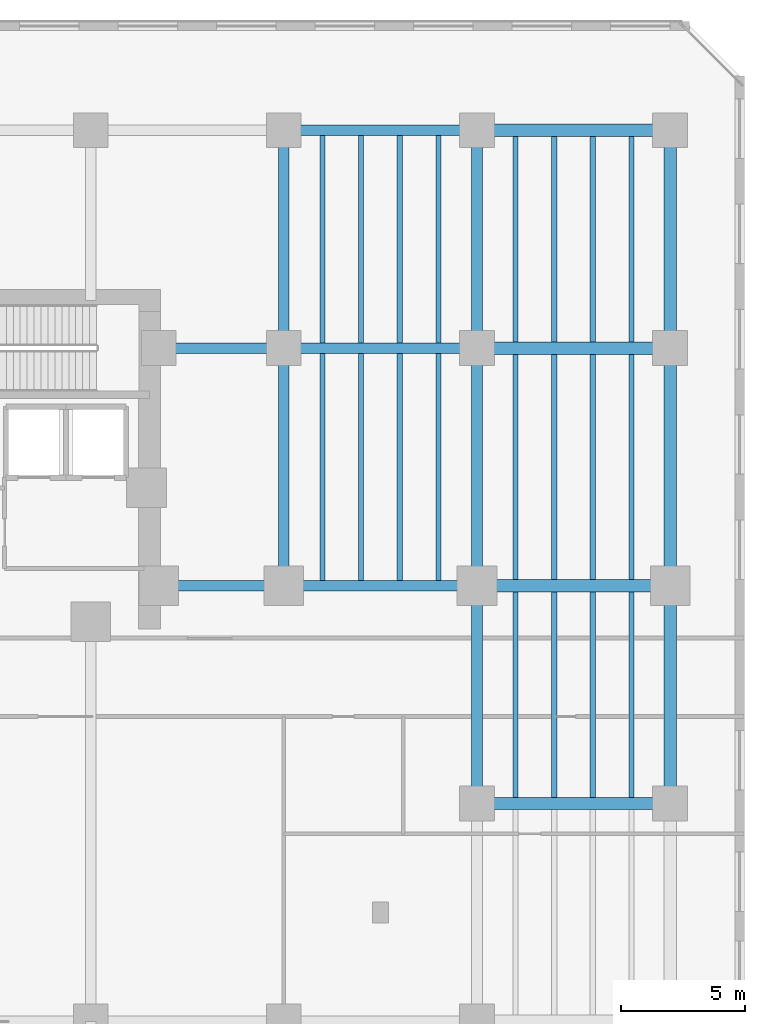
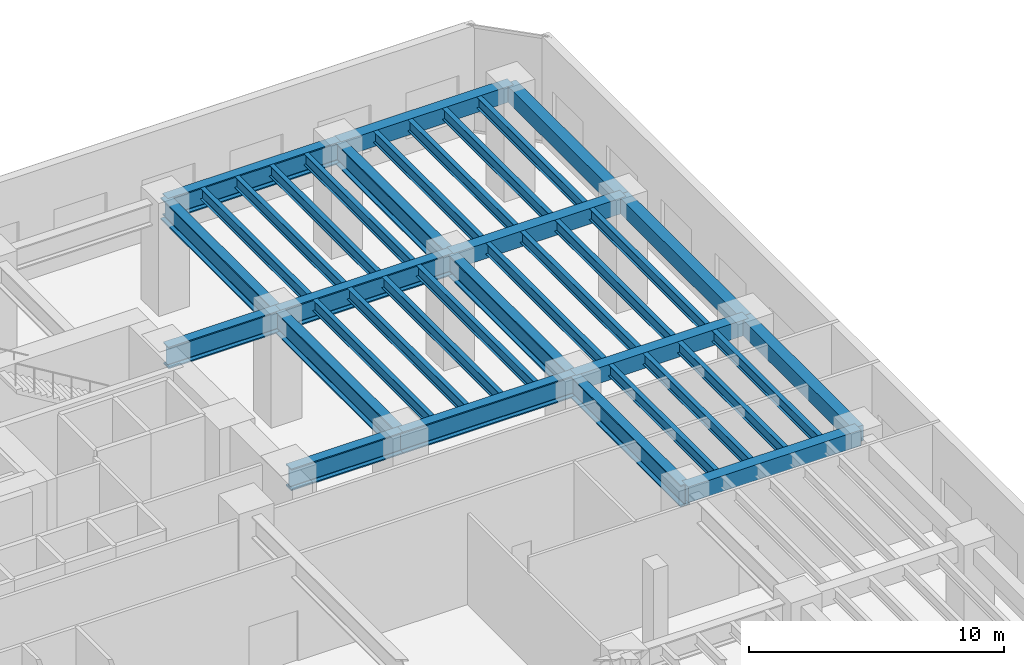
# One storey, part 7 of 21: 37 beams.
"""IFC4 building model written with IfcOpenShell, lengths in metres."""

import ifcopenshell
import ifcopenshell.guid

model = None  # the IFC model being written
_history = None  # IfcOwnerHistory: only IFC2X3 demands one
_inside = {}  # id of a spatial element -> (the spatial element, [elements in it])
_under = {}  # id of a project, library or spatial element -> (it, [spatial elements below it])
_declared = {}  # id of a project -> (the project, [libraries it declares])
_typed = {}  # id of a type object -> (the type object, [elements of that type])
_made_of = {}  # id of a material, layer set ... -> (it, [elements and type objects made of it])


def new_model(schema):
    """Start an empty IFC model of exactly this schema.

    Asked for "IFC4X3", IfcOpenShell would pick the latest addendum, in which some entities
    have other attributes; the version numbers below select the first issue.
    IFC2X3 requires an IfcOwnerHistory on every rooted entity: one is made here for all.
    """
    global model, _history
    if schema == "IFC4X3":
        model = ifcopenshell.file(schema_version=(4, 3, 0, 0))
    else:
        model = ifcopenshell.file(schema=schema)
    _inside.clear()
    _under.clear()
    _declared.clear()
    _typed.clear()
    _made_of.clear()
    _history = None
    if model.schema == "IFC2X3":
        org = make("IfcOrganization", Name="unknown")
        user = make(
            "IfcPersonAndOrganization",
            ThePerson=make("IfcPerson", FamilyName="unknown"),
            TheOrganization=org,
        )
        app = make(
            "IfcApplication",
            ApplicationDeveloper=org,
            Version="unknown",
            ApplicationFullName="unknown",
            ApplicationIdentifier="unknown",
        )
        _history = make(
            "IfcOwnerHistory",
            OwningUser=user,
            OwningApplication=app,
            ChangeAction="ADDED",
            CreationDate=0,
        )
    return model


def make(cls, **values):
    """One entity of the class cls with the attributes given. An attribute that is None is left unset."""
    return model.create_entity(
        cls, **{name: value for name, value in values.items() if value is not None}
    )


def rooted(cls, **values):
    """An entity with a GlobalId (a new one), such as an element, a storey or a relation."""
    return make(cls, GlobalId=ifcopenshell.guid.new(), OwnerHistory=_history, **values)


def si_unit(unit_type, name, prefix=None):
    """IfcSIUnit, for example si_unit("LENGTHUNIT", "METRE", prefix="MILLI")."""
    return make("IfcSIUnit", UnitType=unit_type, Prefix=prefix, Name=name)


def assignment(units):
    """IfcUnitAssignment: the units of a project."""
    return None if units is None else make("IfcUnitAssignment", Units=units)


def point(xyz):
    """IfcCartesianPoint."""
    return None if xyz is None else make("IfcCartesianPoint", Coordinates=xyz)


def direction(xyz):
    """IfcDirection."""
    return None if xyz is None else make("IfcDirection", DirectionRatios=xyz)


def frame(location, z_axis=None, x_axis=None):
    """IfcAxis2Placement3D, a coordinate frame: its origin and axes. An axis left out is left unset."""
    return make(
        "IfcAxis2Placement3D",
        Location=point(location),
        Axis=direction(z_axis),
        RefDirection=direction(x_axis),
    )


def frame_2d(location, x_axis=None):
    """IfcAxis2Placement2D, a coordinate frame in the plane: its origin and x axis."""
    return make(
        "IfcAxis2Placement2D", Location=point(location), RefDirection=direction(x_axis)
    )


def origin():
    """The frame at (0, 0, 0) with its axes left unset."""
    return frame((0.0, 0.0, 0.0))


def origin_2d():
    """The frame at (0, 0) in the plane with its x axis left unset."""
    return frame_2d((0.0, 0.0))


def place(relative_to, where):
    """IfcLocalPlacement: puts the frame where relative to a parent placement (None: the world)."""
    return make(
        "IfcLocalPlacement", PlacementRelTo=relative_to, RelativePlacement=where
    )


def context(
    kind, dimensions, precision=None, world=None, true_north=None, identifier=None
):
    """IfcGeometricRepresentationContext, for example the 3D "Model" context."""
    return make(
        "IfcGeometricRepresentationContext",
        ContextIdentifier=identifier,
        ContextType=kind,
        CoordinateSpaceDimension=dimensions,
        Precision=precision,
        WorldCoordinateSystem=world,
        TrueNorth=true_north,
    )


def subcontext(parent, identifier, kind, view, scale=None):
    """IfcGeometricRepresentationSubContext, for example "Body" below "Model"."""
    return make(
        "IfcGeometricRepresentationSubContext",
        ContextIdentifier=identifier,
        ContextType=kind,
        ParentContext=parent,
        TargetScale=scale,
        TargetView=view,
    )


def project(units=None, contexts=None):
    """IfcProject with its units and contexts."""
    return rooted(
        "IfcProject",
        Name="project",
        RepresentationContexts=contexts,
        UnitsInContext=assignment(units),
    )


def spatial(cls, under=None, at=None, **own):
    """A site, building, storey or space (cls), placed at a placement, below another one or the project."""
    s = rooted(cls, ObjectPlacement=at, **own)
    if under is not None:
        _under.setdefault(under.id(), (under, []))[1].append(s)
    return s


def profile(cls, at=None, kind="AREA", **sizes):
    """A parametric profile (cls). Its sizes go by their IFC names, for example OverallWidth=200.0."""
    return make(cls, ProfileType=kind, Position=at, **sizes)


def rectangle(**sizes):
    """IfcRectangleProfileDef."""
    return profile("IfcRectangleProfileDef", **sizes)


def i_section(**sizes):
    """IfcIShapeProfileDef."""
    return profile("IfcIShapeProfileDef", **sizes)


def extrude(swept, where, along, depth):
    """IfcExtrudedAreaSolid: the profile swept, set in the frame where, extruded along a direction by depth."""
    return make(
        "IfcExtrudedAreaSolid",
        SweptArea=swept,
        Position=where,
        ExtrudedDirection=direction(along),
        Depth=depth,
    )


def shape(context_of_items, identifier, shape_type, items):
    """IfcShapeRepresentation: the items that make up one representation, for example the "Body"."""
    return make(
        "IfcShapeRepresentation",
        ContextOfItems=context_of_items,
        RepresentationIdentifier=identifier,
        RepresentationType=shape_type,
        Items=items,
    )


def material(Name=None, Category=None):
    """IfcMaterial."""
    return make("IfcMaterial", Name=Name, Category=Category)


def material_profile(
    of_material, cross_section, Name=None, Category=None, Priority=None
):
    """IfcMaterialProfile: a cross section and its material."""
    return make(
        "IfcMaterialProfile",
        Name=Name,
        Material=of_material,
        Profile=cross_section,
        Priority=Priority,
        Category=Category,
    )


def profile_set(profiles, Name=None, composite=None):
    """IfcMaterialProfileSet."""
    return make(
        "IfcMaterialProfileSet",
        Name=Name,
        MaterialProfiles=profiles,
        CompositeProfile=composite,
    )


def made_of(thing, what):
    """Note that an element or type object is made of a material, layer set ...; save() writes the relation."""
    if what is not None:
        _made_of.setdefault(what.id(), (what, []))[1].append(thing)
    return thing


def type_object(cls, material=None, **own):
    """A type object (cls), such as IfcWallType, which elements share."""
    return made_of(rooted(cls, **own), material)


def element(
    cls,
    number,
    at=None,
    inside=None,
    cuts=None,
    type_object=None,
    material=None,
    context=None,
    identifier="Body",
    shape_type=None,
    held_by="IfcProductDefinitionShape",
    body=None,
    shapes=None,
    **own,
):
    """One element of the class cls, such as IfcWall. Its Tag is "e" and its number.

    at: its placement. inside: the storey or other place that contains it. cuts: it is an
    opening in that element (IfcRelVoidsElement). A single representation is given by context,
    identifier, shape_type and body (its items); several are given by shapes. held_by: the class
    of the entity that holds the representations. save() writes the other relations.
    """
    e = rooted(cls, Tag="e%d" % number, ObjectPlacement=at, **own)
    if body is not None:
        shapes = [shape(context, identifier, shape_type, body)]
    if shapes is not None:
        e.Representation = make(held_by, Representations=shapes)
    if inside is not None:
        _inside.setdefault(inside.id(), (inside, []))[1].append(e)
    if cuts is not None:
        rooted(
            "IfcRelVoidsElement", RelatingBuildingElement=cuts, RelatedOpeningElement=e
        )
    if type_object is not None:
        _typed.setdefault(type_object.id(), (type_object, []))[1].append(e)
    return made_of(e, material)


def aggregate(whole, parts):
    """IfcRelAggregates: a whole, such as a stair, and the parts it consists of."""
    return rooted("IfcRelAggregates", RelatingObject=whole, RelatedObjects=parts)


def save(model, path):
    """Write the relations noted so far, then the file.

    IfcRelAggregates (storeys below a building ...), IfcRelContainedInSpatialStructure (elements
    in a storey), IfcRelDefinesByType, IfcRelAssociatesMaterial and IfcRelDeclares: one each for
    every whole, place, type object, material and project.
    """
    for whole, parts in _under.values():
        aggregate(whole, parts)
    for where, things in _inside.values():
        rooted(
            "IfcRelContainedInSpatialStructure",
            RelatedElements=things,
            RelatingStructure=where,
        )
    for kind, things in _typed.values():
        rooted("IfcRelDefinesByType", RelatedObjects=things, RelatingType=kind)
    for what, things in _made_of.values():
        rooted("IfcRelAssociatesMaterial", RelatedObjects=things, RelatingMaterial=what)
    for by, libraries in _declared.values():
        rooted("IfcRelDeclares", RelatingContext=by, RelatedDefinitions=libraries)
    model.write(path)


model = new_model("IFC4")

# Units and contexts
model_context = context("Model", 3, precision=1e-05, world=origin(), true_north=direction((0.0, 1.0)))
body_context = subcontext(model_context, "Body", "Model", "MODEL_VIEW")
ifc_project = project(units=[si_unit("LENGTHUNIT", "METRE"), si_unit("AREAUNIT", "SQUARE_METRE"), si_unit("VOLUMEUNIT", "CUBIC_METRE"), si_unit("PLANEANGLEUNIT", "RADIAN"), si_unit("MASSUNIT", "GRAM", prefix="KILO")], contexts=[model_context])

# Site, building, storey
site_placement = place(None, origin())
site = spatial("IfcSite", under=ifc_project, at=site_placement, CompositionType="ELEMENT")
building_placement = place(site_placement, origin())
building = spatial("IfcBuilding", under=site, at=building_placement, Name="Kestravale Grand Hotel", CompositionType="ELEMENT")
storey_placement = place(building_placement, frame((0.0, 0.0, 10.39990234375)))
storey = spatial("IfcBuildingStorey", under=building, at=storey_placement, Name="L02", CompositionType="ELEMENT", Elevation=10.39990234375)

# Beams
ifc_material_1 = material(Name="Steel ASTM A992 Grade 50", Category="steel")
ifc_material_profile_1 = material_profile(ifc_material_1, i_section(OverallWidth=0.2099609375, OverallDepth=0.535888671875, WebThickness=0.010986328125, FlangeThickness=0.017333984375, FilletRadius=0.017578125, at=origin_2d()))
ifc_profile_set_1 = profile_set([ifc_material_profile_1], Name="Steel ASTM A992 Grade 50")
beam_type_1 = type_object("IfcBeamType", Name="B-FLR-JST21", PredefinedType="JOIST", material=ifc_profile_set_1)
for number, where, z_axis, x_axis, name in (
    (1, (63.9599609375, 29.013427734375, 4.83203125), (0.0, 1.0, 0.0), (-1.0, 0.0, 0.0), "L02 floor joist 10-11/E-F #1"),
    (2, (65.52001953125, 29.013427734375, 4.83203125), (0.0, 1.0, 0.0), (-1.0, 0.0, 0.0), "L02 floor joist 10-11/E-F #2"),
    (3, (67.080078125, 29.013427734375, 4.83203125), (0.0, 1.0, 0.0), (-1.0, 0.0, 0.0), "L02 floor joist 10-11/E-F #3"),
    (4, (68.639892578125, 29.013427734375, 4.83203125), (0.0, 1.0, 0.0), (-1.0, 0.0, 0.0), "L02 floor joist 10-11/E-F #4"),
):
    element("IfcBeam", number, at=place(storey_placement, frame(where, z_axis=z_axis, x_axis=x_axis)), inside=storey, type_object=beam_type_1, Name=name, PredefinedType="JOIST", context=body_context, shape_type="SweptSolid", body=[
        extrude(i_section(OverallWidth=0.2099609375, OverallDepth=0.535888671875, WebThickness=0.010986328125, FlangeThickness=0.017333984375, FilletRadius=0.017578125, at=origin_2d()), origin(), (0.0, 0.0, 1.0), 9.173095703125),
    ])
for number, where, z_axis, x_axis, name in (
    (5, (63.9599609375, 38.613525390625, 4.83203125), (0.0, 1.0, 0.0), (-1.0, 0.0, 0.0), "L02 floor joist 10-11/F-G #1"),
    (6, (65.52001953125, 38.613525390625, 4.83203125), (0.0, 1.0, 0.0), (-1.0, 0.0, 0.0), "L02 floor joist 10-11/F-G #2"),
    (7, (67.080078125, 38.613525390625, 4.83203125), (0.0, 1.0, 0.0), (-1.0, 0.0, 0.0), "L02 floor joist 10-11/F-G #3"),
    (8, (68.639892578125, 38.613525390625, 4.83203125), (0.0, 1.0, 0.0), (-1.0, 0.0, 0.0), "L02 floor joist 10-11/F-G #4"),
):
    element("IfcBeam", number, at=place(storey_placement, frame(where, z_axis=z_axis, x_axis=x_axis)), inside=storey, type_object=beam_type_1, Name=name, PredefinedType="JOIST", context=body_context, shape_type="SweptSolid", body=[
        extrude(i_section(OverallWidth=0.2099609375, OverallDepth=0.535888671875, WebThickness=0.010986328125, FlangeThickness=0.017333984375, FilletRadius=0.017578125, at=origin_2d()), origin(), (0.0, 0.0, 1.0), 8.373046875),
    ])
for number, where, z_axis, x_axis, name in (
    (9, (71.760009765625, 20.25, 4.83203125), (0.0, 1.0, 0.0), (-1.0, 0.0, 0.0), "L02 floor joist 11-12/D-E #1"),
    (10, (73.320068359375, 20.25, 4.83203125), (0.0, 1.0, 0.0), (-1.0, 0.0, 0.0), "L02 floor joist 11-12/D-E #2"),
    (11, (74.8798828125, 20.25, 4.83203125), (0.0, 1.0, 0.0), (-1.0, 0.0, 0.0), "L02 floor joist 11-12/D-E #3"),
    (12, (76.43994140625, 20.25, 4.83203125), (0.0, 1.0, 0.0), (-1.0, 0.0, 0.0), "L02 floor joist 11-12/D-E #4"),
):
    element("IfcBeam", number, at=place(storey_placement, frame(where, z_axis=z_axis, x_axis=x_axis)), inside=storey, type_object=beam_type_1, Name=name, PredefinedType="JOIST", context=body_context, shape_type="SweptSolid", body=[
        extrude(i_section(OverallWidth=0.2099609375, OverallDepth=0.535888671875, WebThickness=0.010986328125, FlangeThickness=0.017333984375, FilletRadius=0.017578125, at=origin_2d()), origin(), (0.0, 0.0, 1.0), 8.300048828125),
    ])
for number, where, z_axis, x_axis, name in (
    (13, (71.760009765625, 29.050048828125, 4.83203125), (0.0, 1.0, 0.0), (-1.0, 0.0, 0.0), "L02 floor joist 11-12/E-F #1"),
    (14, (73.320068359375, 29.050048828125, 4.83203125), (0.0, 1.0, 0.0), (-1.0, 0.0, 0.0), "L02 floor joist 11-12/E-F #2"),
    (15, (74.8798828125, 29.050048828125, 4.83203125), (0.0, 1.0, 0.0), (-1.0, 0.0, 0.0), "L02 floor joist 11-12/E-F #3"),
    (16, (76.43994140625, 29.050048828125, 4.83203125), (0.0, 1.0, 0.0), (-1.0, 0.0, 0.0), "L02 floor joist 11-12/E-F #4"),
):
    element("IfcBeam", number, at=place(storey_placement, frame(where, z_axis=z_axis, x_axis=x_axis)), inside=storey, type_object=beam_type_1, Name=name, PredefinedType="JOIST", context=body_context, shape_type="SweptSolid", body=[
        extrude(i_section(OverallWidth=0.2099609375, OverallDepth=0.535888671875, WebThickness=0.010986328125, FlangeThickness=0.017333984375, FilletRadius=0.017578125, at=origin_2d()), origin(), (0.0, 0.0, 1.0), 9.099853515625),
    ])
for number, where, z_axis, x_axis, name in (
    (17, (71.760009765625, 38.64990234375, 4.83203125), (0.0, 1.0, 0.0), (-1.0, 0.0, 0.0), "L02 floor joist 11-12/F-G #1"),
    (18, (73.320068359375, 38.64990234375, 4.83203125), (0.0, 1.0, 0.0), (-1.0, 0.0, 0.0), "L02 floor joist 11-12/F-G #2"),
    (19, (74.8798828125, 38.64990234375, 4.83203125), (0.0, 1.0, 0.0), (-1.0, 0.0, 0.0), "L02 floor joist 11-12/F-G #3"),
    (20, (76.43994140625, 38.64990234375, 4.83203125), (0.0, 1.0, 0.0), (-1.0, 0.0, 0.0), "L02 floor joist 11-12/F-G #4"),
):
    element("IfcBeam", number, at=place(storey_placement, frame(where, z_axis=z_axis, x_axis=x_axis)), inside=storey, type_object=beam_type_1, Name=name, PredefinedType="JOIST", context=body_context, shape_type="SweptSolid", body=[
        extrude(i_section(OverallWidth=0.2099609375, OverallDepth=0.535888671875, WebThickness=0.010986328125, FlangeThickness=0.017333984375, FilletRadius=0.017578125, at=origin_2d()), origin(), (0.0, 0.0, 1.0), 8.300048828125),
    ])
ifc_material_2 = material(Name="Concrete f'c 45 MPa", Category="concrete")
ifc_material_profile_2 = material_profile(ifc_material_2, rectangle(XDim=0.5, YDim=0.75, at=origin_2d()))
ifc_profile_set_2 = profile_set([ifc_material_profile_2], Name="Concrete f'c 45 MPa")
beam_type_2 = type_object("IfcBeamType", Name="B-FLR-RC750", PredefinedType="SPANDREL", material=ifc_profile_set_2)
for number, where, z_axis, x_axis, name in (
    (21, (70.199951171875, 20.0, 4.72509765625), (1.0, 0.0, 0.0), (0.0, 1.0, 0.0), "L02 spandrel D:11-12"),
    (22, (70.199951171875, 28.800048828125, 4.72509765625), (1.0, 0.0, 0.0), (0.0, 1.0, 0.0), "L02 spandrel E:11-12"),
    (23, (70.199951171875, 38.39990234375, 4.72509765625), (1.0, 0.0, 0.0), (0.0, 1.0, 0.0), "L02 spandrel F:11-12"),
    (24, (70.199951171875, 47.199951171875, 4.72509765625), (1.0, 0.0, 0.0), (0.0, 1.0, 0.0), "L02 spandrel G:11-12"),
):
    element("IfcBeam", number, at=place(storey_placement, frame(where, z_axis=z_axis, x_axis=x_axis)), inside=storey, type_object=beam_type_2, Name=name, PredefinedType="SPANDREL", context=body_context, shape_type="SweptSolid", body=[
        extrude(rectangle(XDim=0.5, YDim=0.75, at=origin_2d()), origin(), (0.0, 0.0, 1.0), 7.800048828125),
    ])
beam_1_placement = place(storey_placement, frame((78.0, 20.0, 4.72509765625), z_axis=(0.0, 1.0, 0.0), x_axis=(-1.0, 0.0, 0.0)))
element("IfcBeam", 25, at=beam_1_placement, inside=storey, type_object=beam_type_2, Name="L02 spandrel 12:D-E", PredefinedType="SPANDREL", context=body_context, shape_type="SweptSolid", body=[
    extrude(rectangle(XDim=0.5, YDim=0.75, at=origin_2d()), origin(), (0.0, 0.0, 1.0), 8.800048828125),
])
beam_2_placement = place(storey_placement, frame((78.0, 28.800048828125, 4.72509765625), z_axis=(0.0, 1.0, 0.0), x_axis=(-1.0, 0.0, 0.0)))
element("IfcBeam", 26, at=beam_2_placement, inside=storey, type_object=beam_type_2, Name="L02 spandrel 12:E-F", PredefinedType="SPANDREL", context=body_context, shape_type="SweptSolid", body=[
    extrude(rectangle(XDim=0.5, YDim=0.75, at=origin_2d()), origin(), (0.0, 0.0, 1.0), 9.599853515625),
])
beam_3_placement = place(storey_placement, frame((78.0, 38.39990234375, 4.72509765625), z_axis=(0.0, 1.0, 0.0), x_axis=(-1.0, 0.0, 0.0)))
element("IfcBeam", 27, at=beam_3_placement, inside=storey, type_object=beam_type_2, Name="L02 spandrel 12:F-G", PredefinedType="SPANDREL", context=body_context, shape_type="SweptSolid", body=[
    extrude(rectangle(XDim=0.5, YDim=0.75, at=origin_2d()), origin(), (0.0, 0.0, 1.0), 8.800048828125),
])
ifc_material_3 = material(Name="Steel ASTM A992 Grade 50", Category="steel")
ifc_material_profile_3 = material_profile(ifc_material_3, i_section(OverallWidth=0.427001953125, OverallDepth=1.0400390625, WebThickness=0.031005859375, FlangeThickness=0.055908203125, FilletRadius=0.028076171875, at=origin_2d()))
ifc_profile_set_3 = profile_set([ifc_material_profile_3], Name="Steel ASTM A992 Grade 50")
beam_type_3 = type_object("IfcBeamType", Name="B-GRD-W40", PredefinedType="BEAM", material=ifc_profile_set_3)
beam_4_placement = place(storey_placement, frame((57.35009765625, 28.800048828125, 4.580078125), z_axis=(1.0, 0.0, 0.0), x_axis=(0.0, 1.0, 0.0)))
element("IfcBeam", 28, at=beam_4_placement, inside=storey, type_object=beam_type_3, Name="L02 girder E:CE-10", PredefinedType="BEAM", context=body_context, shape_type="SweptSolid", body=[
    extrude(i_section(OverallWidth=0.427001953125, OverallDepth=1.0400390625, WebThickness=0.031005859375, FlangeThickness=0.055908203125, FilletRadius=0.028076171875, at=origin_2d()), origin(), (0.0, 0.0, 1.0), 5.0498046875),
])
beam_5_placement = place(storey_placement, frame((62.39990234375, 28.800048828125, 4.580078125), z_axis=(1.0, 0.0, 0.0), x_axis=(0.0, 1.0, 0.0)))
element("IfcBeam", 29, at=beam_5_placement, inside=storey, type_object=beam_type_3, Name="L02 girder E:10-11", PredefinedType="BEAM", context=body_context, shape_type="SweptSolid", body=[
    extrude(i_section(OverallWidth=0.427001953125, OverallDepth=1.0400390625, WebThickness=0.031005859375, FlangeThickness=0.055908203125, FilletRadius=0.028076171875, at=origin_2d()), origin(), (0.0, 0.0, 1.0), 7.800048828125),
])
beam_6_placement = place(storey_placement, frame((57.35009765625, 38.39990234375, 4.580078125), z_axis=(1.0, 0.0, 0.0), x_axis=(0.0, 1.0, 0.0)))
element("IfcBeam", 30, at=beam_6_placement, inside=storey, type_object=beam_type_3, Name="L02 girder F:CE-10", PredefinedType="BEAM", context=body_context, shape_type="SweptSolid", body=[
    extrude(i_section(OverallWidth=0.427001953125, OverallDepth=1.0400390625, WebThickness=0.031005859375, FlangeThickness=0.055908203125, FilletRadius=0.028076171875, at=origin_2d()), origin(), (0.0, 0.0, 1.0), 5.0498046875),
])
for number, where, z_axis, x_axis, name in (
    (31, (62.39990234375, 38.39990234375, 4.580078125), (1.0, 0.0, 0.0), (0.0, 1.0, 0.0), "L02 girder F:10-11"),
    (32, (62.39990234375, 47.199951171875, 4.580078125), (1.0, 0.0, 0.0), (0.0, 1.0, 0.0), "L02 girder G:10-11"),
):
    element("IfcBeam", number, at=place(storey_placement, frame(where, z_axis=z_axis, x_axis=x_axis)), inside=storey, type_object=beam_type_3, Name=name, PredefinedType="BEAM", context=body_context, shape_type="SweptSolid", body=[
        extrude(i_section(OverallWidth=0.427001953125, OverallDepth=1.0400390625, WebThickness=0.031005859375, FlangeThickness=0.055908203125, FilletRadius=0.028076171875, at=origin_2d()), origin(), (0.0, 0.0, 1.0), 7.800048828125),
    ])
beam_7_placement = place(storey_placement, frame((62.39990234375, 28.800048828125, 4.580078125), z_axis=(0.0, 1.0, 0.0), x_axis=(-1.0, 0.0, 0.0)))
element("IfcBeam", 33, at=beam_7_placement, inside=storey, type_object=beam_type_3, Name="L02 girder 10:E-F", PredefinedType="BEAM", context=body_context, shape_type="SweptSolid", body=[
    extrude(i_section(OverallWidth=0.427001953125, OverallDepth=1.0400390625, WebThickness=0.031005859375, FlangeThickness=0.055908203125, FilletRadius=0.028076171875, at=origin_2d()), origin(), (0.0, 0.0, 1.0), 9.599853515625),
])
for number, where, z_axis, x_axis, name in (
    (34, (62.39990234375, 38.39990234375, 4.580078125), (0.0, 1.0, 0.0), (-1.0, 0.0, 0.0), "L02 girder 10:F-G"),
    (35, (70.199951171875, 20.0, 4.580078125), (0.0, 1.0, 0.0), (-1.0, 0.0, 0.0), "L02 girder 11:D-E"),
):
    element("IfcBeam", number, at=place(storey_placement, frame(where, z_axis=z_axis, x_axis=x_axis)), inside=storey, type_object=beam_type_3, Name=name, PredefinedType="BEAM", context=body_context, shape_type="SweptSolid", body=[
        extrude(i_section(OverallWidth=0.427001953125, OverallDepth=1.0400390625, WebThickness=0.031005859375, FlangeThickness=0.055908203125, FilletRadius=0.028076171875, at=origin_2d()), origin(), (0.0, 0.0, 1.0), 8.800048828125),
    ])
beam_8_placement = place(storey_placement, frame((70.199951171875, 28.800048828125, 4.580078125), z_axis=(0.0, 1.0, 0.0), x_axis=(-1.0, 0.0, 0.0)))
element("IfcBeam", 36, at=beam_8_placement, inside=storey, type_object=beam_type_3, Name="L02 girder 11:E-F", PredefinedType="BEAM", context=body_context, shape_type="SweptSolid", body=[
    extrude(i_section(OverallWidth=0.427001953125, OverallDepth=1.0400390625, WebThickness=0.031005859375, FlangeThickness=0.055908203125, FilletRadius=0.028076171875, at=origin_2d()), origin(), (0.0, 0.0, 1.0), 9.599853515625),
])
beam_9_placement = place(storey_placement, frame((70.199951171875, 38.39990234375, 4.580078125), z_axis=(0.0, 1.0, 0.0), x_axis=(-1.0, 0.0, 0.0)))
element("IfcBeam", 37, at=beam_9_placement, inside=storey, type_object=beam_type_3, Name="L02 girder 11:F-G", PredefinedType="BEAM", context=body_context, shape_type="SweptSolid", body=[
    extrude(i_section(OverallWidth=0.427001953125, OverallDepth=1.0400390625, WebThickness=0.031005859375, FlangeThickness=0.055908203125, FilletRadius=0.028076171875, at=origin_2d()), origin(), (0.0, 0.0, 1.0), 8.800048828125),
])

save(model, "model.ifc")
